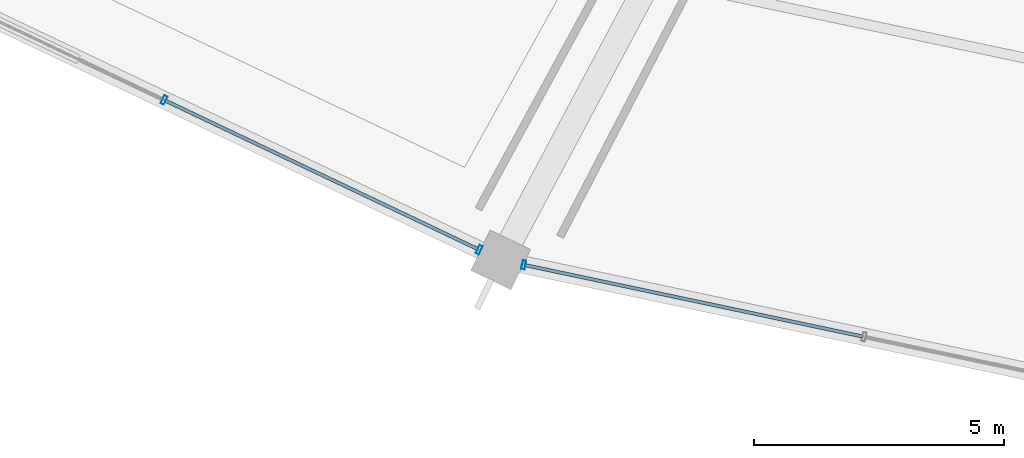
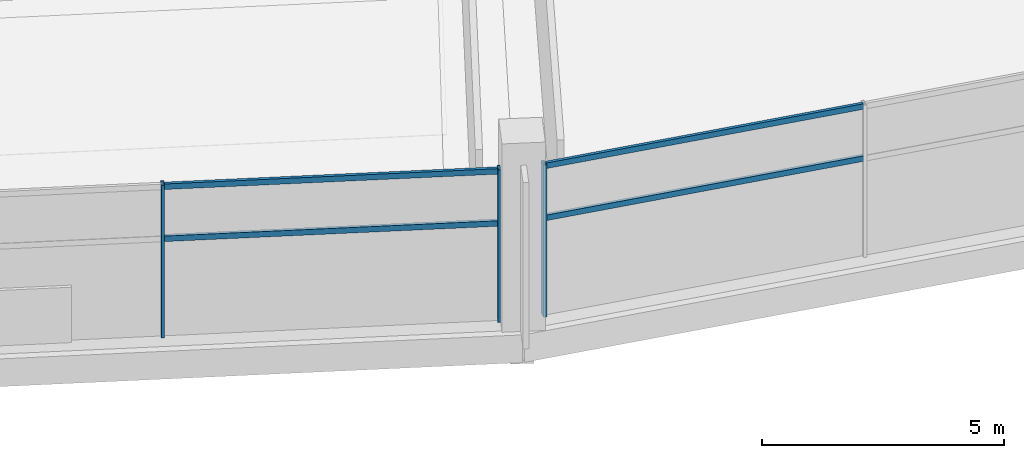
# One storey, part 4 of 156: 7 members, 2 elements without a shape of their own.
"""IFC4 building model written with IfcOpenShell, lengths in metres."""

from ifc_helpers import new_model, si_unit, direction, frame, origin, origin_2d, place, context, subcontext, project, spatial, hollow_rectangle, extrude, material, layer, layer_set, material_profile, profile_set, type_object, element, aggregate, save


model = new_model("IFC4")

# Units and contexts
model_context = context("Model", 3, precision=1e-05, world=origin(), true_north=direction((0.0, 1.0)))
body_context = subcontext(model_context, "Body", "Model", "MODEL_VIEW")
ifc_project = project(units=[si_unit("LENGTHUNIT", "METRE"), si_unit("AREAUNIT", "SQUARE_METRE"), si_unit("VOLUMEUNIT", "CUBIC_METRE"), si_unit("PLANEANGLEUNIT", "RADIAN"), si_unit("MASSUNIT", "GRAM", prefix="KILO")], contexts=[model_context])

# Site, building, storey
site_placement = place(None, origin())
site = spatial("IfcSite", under=ifc_project, at=site_placement, CompositionType="ELEMENT")
building_placement = place(site_placement, origin())
building = spatial("IfcBuilding", under=site, at=building_placement, Name="Kazemori Nagisa Stadium", CompositionType="ELEMENT")
storey_placement = place(building_placement, frame((0.0, 0.0, 5.780029296875)))
storey = spatial("IfcBuildingStorey", under=building, at=storey_placement, Name="L01", CompositionType="ELEMENT", Elevation=5.780029296875)

# Curtain wall, members
ifc_material_1 = material(Name="Anodised aluminium 6063-T5", Category="aluminium")
ifc_layer = layer(ifc_material_1, 0.179931640625, Name="Anodised aluminium 6063-T5", Category="aluminium")
ifc_layer_set = layer_set([ifc_layer], Name="Anodised aluminium 6063-T5")
curtain_wall_type = type_object("IfcCurtainWallType", Name="CW_L01R3_105", PredefinedType="USERDEFINED", material=ifc_layer_set)
curtain_wall_1_placement = place(storey_placement, origin())
curtain_wall_1 = element("IfcCurtainWall", 1, at=curtain_wall_1_placement, inside=storey, type_object=curtain_wall_type, Name="Unitised curtain wall CW-L01R3-105 L01", ObjectType="UNITISED CURTAIN WALL", PredefinedType="USERDEFINED")
ifc_material_2 = material(Name="Aluminium 6063-T5 anodised", Category="aluminium")
ifc_material_profile_1 = material_profile(ifc_material_2, hollow_rectangle(XDim=0.070068359375, YDim=0.179931640625, WallThickness=0.00390625, at=origin_2d()), Name="ALU-MULL-70x180x4")
ifc_profile_set_1 = profile_set([ifc_material_profile_1], Name="Aluminium 6063-T5 anodised")
member_type_1 = type_object("IfcMemberType", Name="Mullion_M01", PredefinedType="MULLION", material=ifc_profile_set_1)
member_1_placement = place(storey_placement, frame((73.45458984375, 24.73876953125, 0.0), z_axis=(0.0, 0.0, 1.0), x_axis=(0.903215892654, -0.429186499388, 0.0)))
member_1 = element("IfcMember", 2, at=member_1_placement, type_object=member_type_1, Name="Curtain wall mullion CW-L01R3-105-M3", PredefinedType="MULLION", context=body_context, shape_type="SweptSolid", body=[
    extrude(hollow_rectangle(XDim=0.070068359375, YDim=0.179931640625, WallThickness=0.00390625, at=origin_2d()), origin(), (0.0, 0.0, 1.0), 3.849853515625),
])
member_2_placement = place(storey_placement, frame((79.766357421875, 21.739501953125, 0.0), z_axis=(0.0, 0.0, 1.0), x_axis=(0.903215892654, -0.429186499388, 0.0)))
member_2 = element("IfcMember", 3, at=member_2_placement, type_object=member_type_1, Name="Curtain wall mullion CW-L01R3-105-M4", PredefinedType="MULLION", context=body_context, shape_type="SweptSolid", body=[
    extrude(hollow_rectangle(XDim=0.070068359375, YDim=0.179931640625, WallThickness=0.00390625, at=origin_2d()), origin(), (0.0, 0.0, 1.0), 3.849853515625),
])

# Curtain wall, member
curtain_wall_2_placement = place(storey_placement, origin())
curtain_wall_2 = element("IfcCurtainWall", 4, at=curtain_wall_2_placement, inside=storey, type_object=curtain_wall_type, Name="Unitised curtain wall CW-L01R3-105 L01", ObjectType="UNITISED CURTAIN WALL", PredefinedType="USERDEFINED")
member_3_placement = place(storey_placement, frame((80.659912109375, 21.4375, 0.0), z_axis=(0.0, 0.0, 1.0), x_axis=(0.978344955407, -0.206981033502, 0.0)))
member_3 = element("IfcMember", 5, at=member_3_placement, type_object=member_type_1, Name="Curtain wall mullion CW-L01R3-105-M1", PredefinedType="MULLION", context=body_context, shape_type="SweptSolid", body=[
    extrude(hollow_rectangle(XDim=0.070068359375, YDim=0.179931640625, WallThickness=0.00390625, at=origin_2d()), origin(), (0.0, 0.0, 1.0), 3.849853515625),
])

# Member
ifc_material_profile_2 = material_profile(ifc_material_2, hollow_rectangle(XDim=0.070068359375, YDim=0.139892578125, WallThickness=0.00390625, at=origin_2d()), Name="ALU-TRAN-70x140x4")
ifc_profile_set_2 = profile_set([ifc_material_profile_2], Name="Aluminium 6063-T5 anodised")
member_type_2 = type_object("IfcMemberType", Name="Transom_T01", PredefinedType="USERDEFINED", material=ifc_profile_set_2)
member_4_placement = place(storey_placement, frame((73.47265625, 24.730224609375, 2.4638671875), z_axis=(0.903221322461, -0.429175072264, 0.0), x_axis=(0.429175072264, 0.903221322461, 0.0)))
member_4 = element("IfcMember", 6, at=member_4_placement, type_object=member_type_2, Name="Curtain wall transom CW-L01R3-105-T3-mid", ObjectType="TRANSOM", PredefinedType="USERDEFINED", context=body_context, shape_type="SweptSolid", body=[
    extrude(hollow_rectangle(XDim=0.070068359375, YDim=0.139892578125, WallThickness=0.00390625, at=origin_2d()), origin(), (0.0, 0.0, 1.0), 6.947998046875),
])

member_5_placement = place(storey_placement, frame((73.47265625, 24.730224609375, 3.780029296875), z_axis=(0.903221322461, -0.429175072264, 0.0), x_axis=(0.429175072264, 0.903221322461, 0.0)))
member_5 = element("IfcMember", 7, at=member_5_placement, type_object=member_type_2, Name="Curtain wall transom CW-L01R3-105-T3-head", ObjectType="TRANSOM", PredefinedType="USERDEFINED", context=body_context, shape_type="SweptSolid", body=[
    extrude(hollow_rectangle(XDim=0.070068359375, YDim=0.139892578125, WallThickness=0.00390625, at=origin_2d()), origin(), (0.0, 0.0, 1.0), 6.947998046875),
])

aggregate(curtain_wall_1, [member_1, member_2, member_4, member_5])

member_6_placement = place(storey_placement, frame((80.679443359375, 21.433349609375, 2.4638671875), z_axis=(0.97834174255, -0.206996219252, 0.0), x_axis=(0.206996219252, 0.97834174255, 0.0)))
member_6 = element("IfcMember", 8, at=member_6_placement, type_object=member_type_2, Name="Curtain wall transom CW-L01R3-105-T1-mid", ObjectType="TRANSOM", PredefinedType="USERDEFINED", context=body_context, shape_type="SweptSolid", body=[
    extrude(hollow_rectangle(XDim=0.070068359375, YDim=0.139892578125, WallThickness=0.00390625, at=origin_2d()), origin(), (0.0, 0.0, 1.0), 6.9267578125),
])

member_7_placement = place(storey_placement, frame((80.679443359375, 21.433349609375, 3.780029296875), z_axis=(0.97834174255, -0.206996219252, 0.0), x_axis=(0.206996219252, 0.97834174255, 0.0)))
member_7 = element("IfcMember", 9, at=member_7_placement, type_object=member_type_2, Name="Curtain wall transom CW-L01R3-105-T1-head", ObjectType="TRANSOM", PredefinedType="USERDEFINED", context=body_context, shape_type="SweptSolid", body=[
    extrude(hollow_rectangle(XDim=0.070068359375, YDim=0.139892578125, WallThickness=0.00390625, at=origin_2d()), origin(), (0.0, 0.0, 1.0), 6.9267578125),
])

aggregate(curtain_wall_2, [member_3, member_6, member_7])

save(model, "model.ifc")
